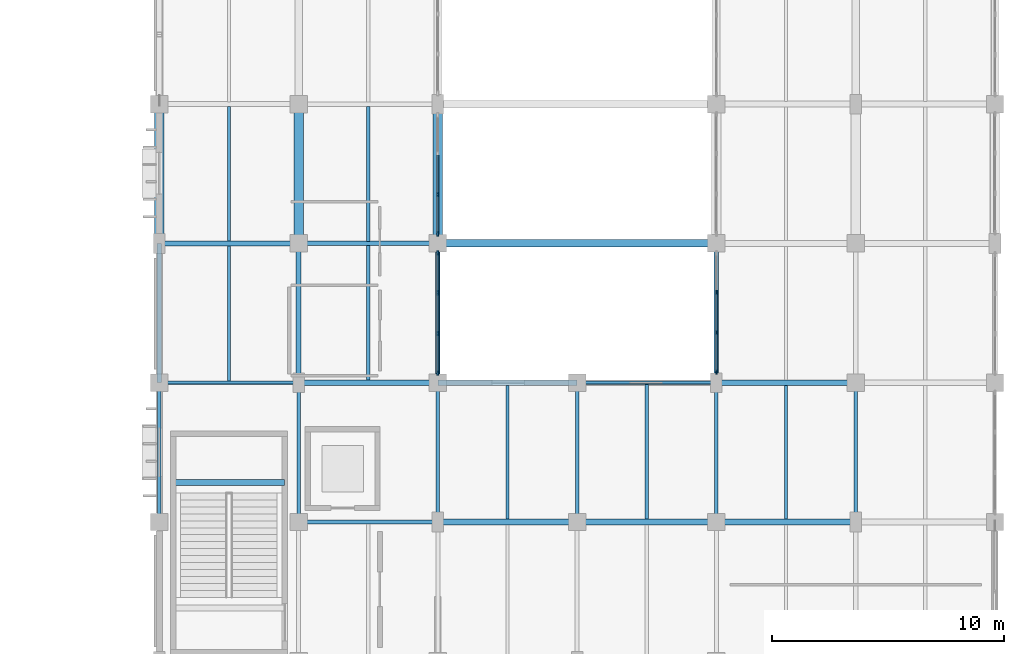
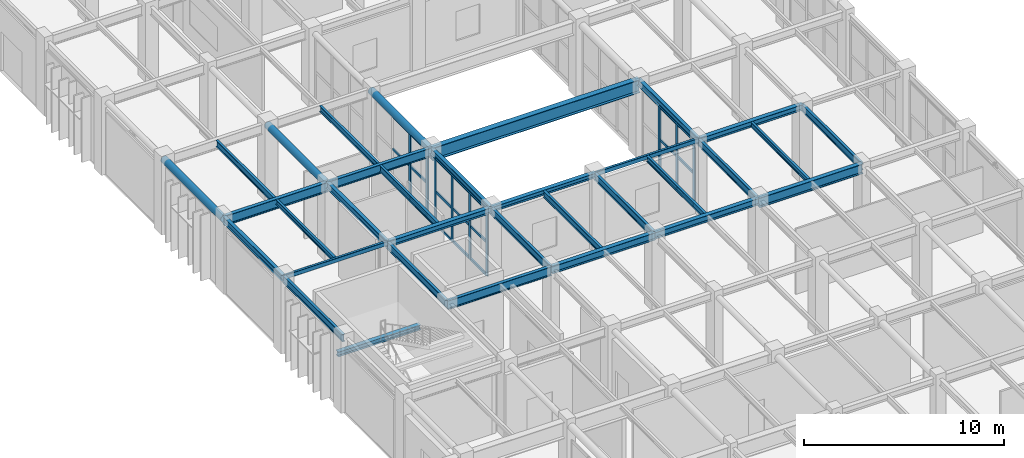
# One storey, part 9 of 76: 33 beams, 30 members, 3 elements without a shape of their own.
"""IFC4 building model written with IfcOpenShell, lengths in metres."""

from ifc_helpers import new_model, si_unit, direction, frame, origin, origin_2d, place, context, subcontext, project, spatial, rectangle, hollow_rectangle, hollow_circle, i_section, extrude, material, material_profile, profile_set, type_object, element, aggregate, save


model = new_model("IFC4")

# Units and contexts
model_context = context("Model", 3, precision=1e-05, world=origin(), true_north=direction((0.0, 1.0)))
body_context = subcontext(model_context, "Body", "Model", "MODEL_VIEW")
ifc_project = project(units=[si_unit("LENGTHUNIT", "METRE"), si_unit("AREAUNIT", "SQUARE_METRE"), si_unit("VOLUMEUNIT", "CUBIC_METRE"), si_unit("PLANEANGLEUNIT", "RADIAN"), si_unit("MASSUNIT", "GRAM", prefix="KILO")], contexts=[model_context])

# Site, building, storey
site_placement = place(None, origin())
site = spatial("IfcSite", under=ifc_project, at=site_placement, CompositionType="ELEMENT")
building_placement = place(site_placement, origin())
building = spatial("IfcBuilding", under=site, at=building_placement, Name="Varnakota Square Police Headquarters", CompositionType="ELEMENT")
storey_placement = place(building_placement, origin())
storey = spatial("IfcBuildingStorey", under=building, at=storey_placement, Name="L00", CompositionType="ELEMENT", Elevation=0.0)

# Beams
ifc_material_1 = material(Name="Steel IS 2062 Grade 350", Category="steel")
ifc_material_profile_1 = material_profile(ifc_material_1, hollow_circle(Radius=0.203125, WallThickness=0.01611328125, at=origin_2d()), Name="CHS 406.4x16.0")
ifc_profile_set_1 = profile_set([ifc_material_profile_1], Name="Steel IS 2062 Grade 350")
beam_type_1 = type_object("IfcBeamType", Name="BM-ARC-CHS406", PredefinedType="BEAM", material=ifc_profile_set_1)
for number, where, z_axis, x_axis, name in (
    (1, (6.0, 45.0, 4.296875), (0.0, 1.0, 0.0), (-1.0, 0.0, 0.0), "BMG-L00-0938"),
    (2, (12.0, 45.0, 4.296875), (0.0, 1.0, 0.0), (-1.0, 0.0, 0.0), "BMG-L00-0955"),
    (3, (18.0, 45.0, 4.296875), (0.0, 1.0, 0.0), (-1.0, 0.0, 0.0), "BMG-L00-0969"),
):
    element("IfcBeam", number, at=place(storey_placement, frame(where, z_axis=z_axis, x_axis=x_axis)), inside=storey, type_object=beam_type_1, Name=name, PredefinedType="BEAM", context=body_context, shape_type="SweptSolid", body=[
        extrude(hollow_circle(Radius=0.203125, WallThickness=0.01611328125, at=origin_2d()), origin(), (0.0, 0.0, 1.0), 6.0),
    ])
ifc_material_profile_2 = material_profile(ifc_material_1, i_section(OverallWidth=0.320068359375, OverallDepth=0.800048828125, WebThickness=0.01611328125, FlangeThickness=0.028076171875, at=origin_2d()), Name="BPG 800x320")
ifc_profile_set_2 = profile_set([ifc_material_profile_2], Name="Steel IS 2062 Grade 350")
beam_type_2 = type_object("IfcBeamType", Name="BM-BPG800", PredefinedType="BEAM", material=ifc_profile_set_2)
beam_1_placement = place(storey_placement, frame((18.0, 45.0, 4.10009765625), z_axis=(1.0, 0.0, 0.0), x_axis=(0.0, 1.0, 0.0)))
element("IfcBeam", 4, at=beam_1_placement, inside=storey, type_object=beam_type_2, Name="BMG-L00-0792", PredefinedType="BEAM", context=body_context, shape_type="SweptSolid", body=[
    extrude(i_section(OverallWidth=0.320068359375, OverallDepth=0.800048828125, WebThickness=0.01611328125, FlangeThickness=0.028076171875, at=origin_2d()), origin(), (0.0, 0.0, 1.0), 12.0),
])
ifc_material_profile_3 = material_profile(ifc_material_1, hollow_rectangle(XDim=0.14990234375, YDim=0.25, WallThickness=0.010009765625, InnerFilletRadius=0.010009765625, OuterFilletRadius=0.02001953125, at=origin_2d()), Name="RHS 250x150x10")
ifc_profile_set_3 = profile_set([ifc_material_profile_3], Name="Steel IS 2062 Grade 350")
beam_type_3 = type_object("IfcBeamType", Name="BM-CBEAM-RHS250", PredefinedType="BEAM", material=ifc_profile_set_3)
for number, where, z_axis, x_axis, name in (
    (5, (6.0, 39.0, 4.375), (1.0, 0.0, 0.0), (0.0, 1.0, 0.0), "BMG-L00-0773"),
    (6, (24.0, 39.0, 4.375), (1.0, 0.0, 0.0), (0.0, 1.0, 0.0), "BMG-L00-0776"),
):
    element("IfcBeam", number, at=place(storey_placement, frame(where, z_axis=z_axis, x_axis=x_axis)), inside=storey, type_object=beam_type_3, Name=name, PredefinedType="BEAM", context=body_context, shape_type="SweptSolid", body=[
        extrude(hollow_rectangle(XDim=0.14990234375, YDim=0.25, WallThickness=0.010009765625, InnerFilletRadius=0.010009765625, OuterFilletRadius=0.02001953125, at=origin_2d()), origin(), (0.0, 0.0, 1.0), 6.0),
    ])
ifc_material_profile_4 = material_profile(ifc_material_1, i_section(OverallWidth=0.25, OverallDepth=0.300048828125, WebThickness=0.009521484375, FlangeThickness=0.010498046875, FilletRadius=0.011962890625, at=origin_2d()), Name="ISHB 300")
ifc_profile_set_4 = profile_set([ifc_material_profile_4], Name="Steel IS 2062 Grade 350")
beam_type_4 = type_object("IfcBeamType", Name="BM-ISHB300", PredefinedType="BEAM", material=ifc_profile_set_4)
beam_2_placement = place(storey_placement, frame((18.0, 39.0, 4.35009765625), z_axis=(1.0, 0.0, 0.0), x_axis=(0.0, 1.0, 0.0)))
element("IfcBeam", 7, at=beam_2_placement, inside=storey, type_object=beam_type_4, Name="BMG-L00-0775", PredefinedType="BEAM", context=body_context, shape_type="SweptSolid", body=[
    extrude(i_section(OverallWidth=0.25, OverallDepth=0.300048828125, WebThickness=0.009521484375, FlangeThickness=0.010498046875, FilletRadius=0.011962890625, at=origin_2d()), origin(), (0.0, 0.0, 1.0), 6.0),
])
beam_3_placement = place(storey_placement, frame((6.60009765625, 34.70068359375, 2.083984375), z_axis=(1.0, 0.0, 0.0), x_axis=(0.0, 1.0, 0.0)))
element("IfcBeam", 8, at=beam_3_placement, inside=storey, type_object=beam_type_4, Name="Stair landing support beam BM-LND-0046", PredefinedType="BEAM", context=body_context, shape_type="SweptSolid", body=[
    extrude(i_section(OverallWidth=0.25, OverallDepth=0.300048828125, WebThickness=0.009521484375, FlangeThickness=0.010498046875, FilletRadius=0.011962890625, at=origin_2d()), origin(), (0.0, 0.0, 1.0), 4.7998046875),
])
ifc_material_profile_5 = material_profile(ifc_material_1, i_section(OverallWidth=0.25, OverallDepth=0.35009765625, WebThickness=0.010009765625, FlangeThickness=0.01171875, FilletRadius=0.011962890625, at=origin_2d()), Name="ISHB 350")
ifc_profile_set_5 = profile_set([ifc_material_profile_5], Name="Steel IS 2062 Grade 350")
beam_type_5 = type_object("IfcBeamType", Name="BM-ISHB350", PredefinedType="BEAM", material=ifc_profile_set_5)
for number, where, z_axis, x_axis, name in (
    (9, (12.0, 39.0, 4.324951171875), (1.0, 0.0, 0.0), (0.0, 1.0, 0.0), "BMG-L00-0774"),
    (10, (30.0, 39.0, 4.324951171875), (1.0, 0.0, 0.0), (0.0, 1.0, 0.0), "BMG-L00-0777"),
):
    element("IfcBeam", number, at=place(storey_placement, frame(where, z_axis=z_axis, x_axis=x_axis)), inside=storey, type_object=beam_type_5, Name=name, PredefinedType="BEAM", context=body_context, shape_type="SweptSolid", body=[
        extrude(i_section(OverallWidth=0.25, OverallDepth=0.35009765625, WebThickness=0.010009765625, FlangeThickness=0.01171875, FilletRadius=0.011962890625, at=origin_2d()), origin(), (0.0, 0.0, 1.0), 6.0),
    ])
ifc_material_profile_6 = material_profile(ifc_material_1, i_section(OverallWidth=0.25, OverallDepth=0.39990234375, WebThickness=0.010498046875, FlangeThickness=0.0126953125, FilletRadius=0.013916015625, at=origin_2d()), Name="ISHB 400")
ifc_profile_set_6 = profile_set([ifc_material_profile_6], Name="Steel IS 2062 Grade 350")
beam_type_6 = type_object("IfcBeamType", Name="BM-ISHB400", PredefinedType="BEAM", material=ifc_profile_set_6)
beam_4_placement = place(storey_placement, frame((24.0, 33.0, 4.300048828125), z_axis=(1.0, 0.0, 0.0), x_axis=(0.0, 1.0, 0.0)))
element("IfcBeam", 11, at=beam_4_placement, inside=storey, type_object=beam_type_6, Name="BMG-L00-0765", PredefinedType="BEAM", context=body_context, shape_type="SweptSolid", body=[
    extrude(i_section(OverallWidth=0.25, OverallDepth=0.39990234375, WebThickness=0.010498046875, FlangeThickness=0.0126953125, FilletRadius=0.013916015625, at=origin_2d()), origin(), (0.0, 0.0, 1.0), 6.0),
])
ifc_material_profile_7 = material_profile(ifc_material_1, i_section(OverallWidth=0.25, OverallDepth=0.449951171875, WebThickness=0.01123046875, FlangeThickness=0.013671875, FilletRadius=0.014892578125, at=origin_2d()), Name="ISHB 450")
ifc_profile_set_7 = profile_set([ifc_material_profile_7], Name="Steel IS 2062 Grade 350")
beam_type_7 = type_object("IfcBeamType", Name="BM-ISHB450", PredefinedType="BEAM", material=ifc_profile_set_7)
beam_5_placement = place(storey_placement, frame((18.0, 33.0, 4.27490234375), z_axis=(1.0, 0.0, 0.0), x_axis=(0.0, 1.0, 0.0)))
element("IfcBeam", 12, at=beam_5_placement, inside=storey, type_object=beam_type_7, Name="BMG-L00-0764", PredefinedType="BEAM", context=body_context, shape_type="SweptSolid", body=[
    extrude(i_section(OverallWidth=0.25, OverallDepth=0.449951171875, WebThickness=0.01123046875, FlangeThickness=0.013671875, FilletRadius=0.014892578125, at=origin_2d()), origin(), (0.0, 0.0, 1.0), 6.0),
])
ifc_material_profile_8 = material_profile(ifc_material_1, i_section(OverallWidth=0.139892578125, OverallDepth=0.300048828125, WebThickness=0.0078125, FlangeThickness=0.01318359375, FilletRadius=0.013916015625, at=origin_2d()), Name="ISMB 300")
ifc_profile_set_8 = profile_set([ifc_material_profile_8], Name="Steel IS 2062 Grade 350")
beam_type_8 = type_object("IfcBeamType", Name="BM-ISMB300", PredefinedType="JOIST", material=ifc_profile_set_8)
beam_6_placement = place(storey_placement, frame((9.0, 39.072998046875, 4.35009765625), z_axis=(0.0, 1.0, 0.0), x_axis=(-1.0, 0.0, 0.0)))
element("IfcBeam", 13, at=beam_6_placement, inside=storey, type_object=beam_type_8, Name="BMG-L00-1181", PredefinedType="JOIST", context=body_context, shape_type="SweptSolid", body=[
    extrude(i_section(OverallWidth=0.139892578125, OverallDepth=0.300048828125, WebThickness=0.0078125, FlangeThickness=0.01318359375, FilletRadius=0.013916015625, at=origin_2d()), origin(), (0.0, 0.0, 1.0), 5.823974609375),
])
beam_7_placement = place(storey_placement, frame((33.0, 33.123046875, 4.35009765625), z_axis=(0.0, 1.0, 0.0), x_axis=(-1.0, 0.0, 0.0)))
element("IfcBeam", 14, at=beam_7_placement, inside=storey, type_object=beam_type_8, Name="BMG-L00-1218", PredefinedType="JOIST", context=body_context, shape_type="SweptSolid", body=[
    extrude(i_section(OverallWidth=0.139892578125, OverallDepth=0.300048828125, WebThickness=0.0078125, FlangeThickness=0.01318359375, FilletRadius=0.013916015625, at=origin_2d()), origin(), (0.0, 0.0, 1.0), 5.75390625),
])
ifc_material_profile_9 = material_profile(ifc_material_1, i_section(OverallWidth=0.139892578125, OverallDepth=0.35009765625, WebThickness=0.008056640625, FlangeThickness=0.01416015625, FilletRadius=0.013916015625, at=origin_2d()), Name="ISMB 350")
ifc_profile_set_9 = profile_set([ifc_material_profile_9], Name="Steel IS 2062 Grade 350")
beam_type_9 = type_object("IfcBeamType", Name="BM-ISMB350", PredefinedType="JOIST", material=ifc_profile_set_9)
beam_8_placement = place(storey_placement, frame((15.0, 45.093017578125, 4.324951171875), z_axis=(0.0, 1.0, 0.0), x_axis=(-1.0, 0.0, 0.0)))
element("IfcBeam", 15, at=beam_8_placement, inside=storey, type_object=beam_type_9, Name="BMG-L00-1193", PredefinedType="JOIST", context=body_context, shape_type="SweptSolid", body=[
    extrude(i_section(OverallWidth=0.139892578125, OverallDepth=0.35009765625, WebThickness=0.008056640625, FlangeThickness=0.01416015625, FilletRadius=0.013916015625, at=origin_2d()), origin(), (0.0, 0.0, 1.0), 5.81396484375),
])
beam_9_placement = place(storey_placement, frame((27.0, 33.123046875, 4.324951171875), z_axis=(0.0, 1.0, 0.0), x_axis=(-1.0, 0.0, 0.0)))
element("IfcBeam", 16, at=beam_9_placement, inside=storey, type_object=beam_type_9, Name="BMG-L00-1210", PredefinedType="JOIST", context=body_context, shape_type="SweptSolid", body=[
    extrude(i_section(OverallWidth=0.139892578125, OverallDepth=0.35009765625, WebThickness=0.008056640625, FlangeThickness=0.01416015625, FilletRadius=0.013916015625, at=origin_2d()), origin(), (0.0, 0.0, 1.0), 5.803955078125),
])
ifc_material_profile_10 = material_profile(ifc_material_1, i_section(OverallWidth=0.139892578125, OverallDepth=0.39990234375, WebThickness=0.0087890625, FlangeThickness=0.01611328125, FilletRadius=0.013916015625, at=origin_2d()), Name="ISMB 400")
ifc_profile_set_10 = profile_set([ifc_material_profile_10], Name="Steel IS 2062 Grade 350")
beam_type_10 = type_object("IfcBeamType", Name="BM-ISMB400", PredefinedType="JOIST", material=ifc_profile_set_10)
beam_10_placement = place(storey_placement, frame((9.0, 45.10302734375, 4.300048828125), z_axis=(0.0, 1.0, 0.0), x_axis=(-1.0, 0.0, 0.0)))
element("IfcBeam", 17, at=beam_10_placement, inside=storey, type_object=beam_type_10, Name="BMG-L00-1182", PredefinedType="JOIST", context=body_context, shape_type="SweptSolid", body=[
    extrude(i_section(OverallWidth=0.139892578125, OverallDepth=0.39990234375, WebThickness=0.0087890625, FlangeThickness=0.01611328125, FilletRadius=0.013916015625, at=origin_2d()), origin(), (0.0, 0.0, 1.0), 5.7939453125),
])
beam_11_placement = place(storey_placement, frame((15.0, 39.123046875, 4.300048828125), z_axis=(0.0, 1.0, 0.0), x_axis=(-1.0, 0.0, 0.0)))
element("IfcBeam", 18, at=beam_11_placement, inside=storey, type_object=beam_type_10, Name="BMG-L00-1192", PredefinedType="JOIST", context=body_context, shape_type="SweptSolid", body=[
    extrude(i_section(OverallWidth=0.139892578125, OverallDepth=0.39990234375, WebThickness=0.0087890625, FlangeThickness=0.01611328125, FilletRadius=0.013916015625, at=origin_2d()), origin(), (0.0, 0.0, 1.0), 5.783935546875),
])
beam_12_placement = place(storey_placement, frame((21.0, 33.123046875, 4.300048828125), z_axis=(0.0, 1.0, 0.0), x_axis=(-1.0, 0.0, 0.0)))
element("IfcBeam", 19, at=beam_12_placement, inside=storey, type_object=beam_type_10, Name="BMG-L00-1203", PredefinedType="JOIST", context=body_context, shape_type="SweptSolid", body=[
    extrude(i_section(OverallWidth=0.139892578125, OverallDepth=0.39990234375, WebThickness=0.0087890625, FlangeThickness=0.01611328125, FilletRadius=0.013916015625, at=origin_2d()), origin(), (0.0, 0.0, 1.0), 5.75390625),
])
ifc_material_profile_11 = material_profile(ifc_material_1, i_section(OverallWidth=0.14990234375, OverallDepth=0.449951171875, WebThickness=0.009521484375, FlangeThickness=0.017333984375, FilletRadius=0.014892578125, at=origin_2d()), Name="ISMB 450")
ifc_profile_set_11 = profile_set([ifc_material_profile_11], Name="Steel IS 2062 Grade 350")
beam_type_11 = type_object("IfcBeamType", Name="BM-ISMB450", PredefinedType="BEAM", material=ifc_profile_set_11)
for number, where, z_axis, x_axis, name in (
    (20, (6.0, 33.0, 4.27490234375), (0.0, 1.0, 0.0), (-1.0, 0.0, 0.0), "BMG-L00-0936"),
    (21, (12.0, 33.0, 4.27490234375), (0.0, 1.0, 0.0), (-1.0, 0.0, 0.0), "BMG-L00-0953"),
    (22, (18.0, 33.0, 4.27490234375), (0.0, 1.0, 0.0), (-1.0, 0.0, 0.0), "BMG-L00-0967"),
    (23, (24.0, 33.0, 4.27490234375), (0.0, 1.0, 0.0), (-1.0, 0.0, 0.0), "BMG-L00-0981"),
    (24, (30.0, 33.0, 4.27490234375), (0.0, 1.0, 0.0), (-1.0, 0.0, 0.0), "BMG-L00-0989"),
    (25, (36.0, 33.0, 4.27490234375), (0.0, 1.0, 0.0), (-1.0, 0.0, 0.0), "BMG-L00-1003"),
):
    element("IfcBeam", number, at=place(storey_placement, frame(where, z_axis=z_axis, x_axis=x_axis)), inside=storey, type_object=beam_type_11, Name=name, PredefinedType="BEAM", context=body_context, shape_type="SweptSolid", body=[
        extrude(i_section(OverallWidth=0.14990234375, OverallDepth=0.449951171875, WebThickness=0.009521484375, FlangeThickness=0.017333984375, FilletRadius=0.014892578125, at=origin_2d()), origin(), (0.0, 0.0, 1.0), 6.0),
    ])
ifc_material_profile_12 = material_profile(ifc_material_1, i_section(OverallWidth=0.18994140625, OverallDepth=0.550048828125, WebThickness=0.01123046875, FlangeThickness=0.019287109375, FilletRadius=0.01806640625, at=origin_2d()), Name="ISMB 550")
ifc_profile_set_12 = profile_set([ifc_material_profile_12], Name="Steel IS 2062 Grade 350")
beam_type_12 = type_object("IfcBeamType", Name="BM-ISMB550", PredefinedType="BEAM", material=ifc_profile_set_12)
for number, where, z_axis, x_axis, name in (
    (26, (12.0, 33.0, 4.22509765625), (1.0, 0.0, 0.0), (0.0, 1.0, 0.0), "BMG-L00-0763"),
    (27, (12.0, 45.0, 4.22509765625), (1.0, 0.0, 0.0), (0.0, 1.0, 0.0), "BMG-L00-0791"),
):
    element("IfcBeam", number, at=place(storey_placement, frame(where, z_axis=z_axis, x_axis=x_axis)), inside=storey, type_object=beam_type_12, Name=name, PredefinedType="BEAM", context=body_context, shape_type="SweptSolid", body=[
        extrude(i_section(OverallWidth=0.18994140625, OverallDepth=0.550048828125, WebThickness=0.01123046875, FlangeThickness=0.019287109375, FilletRadius=0.01806640625, at=origin_2d()), origin(), (0.0, 0.0, 1.0), 6.0),
    ])
ifc_material_profile_13 = material_profile(ifc_material_1, i_section(OverallWidth=0.2099609375, OverallDepth=0.60009765625, WebThickness=0.011962890625, FlangeThickness=0.020751953125, FilletRadius=0.02001953125, at=origin_2d()), Name="ISMB 600")
ifc_profile_set_13 = profile_set([ifc_material_profile_13], Name="Steel IS 2062 Grade 350")
beam_type_13 = type_object("IfcBeamType", Name="BM-ISMB600", PredefinedType="BEAM", material=ifc_profile_set_13)
beam_13_placement = place(storey_placement, frame((6.0, 45.0, 4.199951171875), z_axis=(1.0, 0.0, 0.0), x_axis=(0.0, 1.0, 0.0)))
element("IfcBeam", 28, at=beam_13_placement, inside=storey, type_object=beam_type_13, Name="BMG-L00-0790", PredefinedType="BEAM", context=body_context, shape_type="SweptSolid", body=[
    extrude(i_section(OverallWidth=0.2099609375, OverallDepth=0.60009765625, WebThickness=0.011962890625, FlangeThickness=0.020751953125, FilletRadius=0.02001953125, at=origin_2d()), origin(), (0.0, 0.0, 1.0), 6.0),
])
ifc_material_profile_14 = material_profile(ifc_material_1, i_section(OverallWidth=0.199951171875, OverallDepth=0.39990234375, WebThickness=0.008544921875, FlangeThickness=0.012939453125, FilletRadius=0.012939453125, at=origin_2d()), Name="ISWB 400")
ifc_profile_set_14 = profile_set([ifc_material_profile_14], Name="Steel IS 2062 Grade 350")
beam_type_14 = type_object("IfcBeamType", Name="BM-ISWB400", PredefinedType="BEAM", material=ifc_profile_set_14)
for number, where, z_axis, x_axis, name in (
    (29, (6.0, 39.0, 4.300048828125), (0.0, 1.0, 0.0), (-1.0, 0.0, 0.0), "BMG-L00-0937"),
    (30, (12.0, 39.0, 4.300048828125), (0.0, 1.0, 0.0), (-1.0, 0.0, 0.0), "BMG-L00-0954"),
    (31, (18.0, 39.0, 4.300048828125), (0.0, 1.0, 0.0), (-1.0, 0.0, 0.0), "BMG-L00-0968"),
    (32, (30.0, 39.0, 4.300048828125), (0.0, 1.0, 0.0), (-1.0, 0.0, 0.0), "BMG-L00-0990"),
):
    element("IfcBeam", number, at=place(storey_placement, frame(where, z_axis=z_axis, x_axis=x_axis)), inside=storey, type_object=beam_type_14, Name=name, PredefinedType="BEAM", context=body_context, shape_type="SweptSolid", body=[
        extrude(i_section(OverallWidth=0.199951171875, OverallDepth=0.39990234375, WebThickness=0.008544921875, FlangeThickness=0.012939453125, FilletRadius=0.012939453125, at=origin_2d()), origin(), (0.0, 0.0, 1.0), 6.0),
    ])
ifc_material_profile_15 = material_profile(ifc_material_1, i_section(OverallWidth=0.25, OverallDepth=0.60009765625, WebThickness=0.01171875, FlangeThickness=0.023681640625, FilletRadius=0.01708984375, at=origin_2d()), Name="ISWB 600")
ifc_profile_set_15 = profile_set([ifc_material_profile_15], Name="Steel IS 2062 Grade 350")
beam_type_15 = type_object("IfcBeamType", Name="BM-ISWB600", PredefinedType="BEAM", material=ifc_profile_set_15)
beam_14_placement = place(storey_placement, frame((30.0, 33.0, 4.199951171875), z_axis=(1.0, 0.0, 0.0), x_axis=(0.0, 1.0, 0.0)))
element("IfcBeam", 33, at=beam_14_placement, inside=storey, type_object=beam_type_15, Name="BMG-L00-0766", PredefinedType="BEAM", context=body_context, shape_type="SweptSolid", body=[
    extrude(i_section(OverallWidth=0.25, OverallDepth=0.60009765625, WebThickness=0.01171875, FlangeThickness=0.023681640625, FilletRadius=0.01708984375, at=origin_2d()), origin(), (0.0, 0.0, 1.0), 6.0),
])

# Curtain wall, members
ifc_material_2 = material(Name="Anodised Aluminium Framing", Category="aluminium")
curtain_wall_type = type_object("IfcCurtainWallType", Name="CW-SYS-F", PredefinedType="NOTDEFINED", material=ifc_material_2)
curtain_wall_1_placement = place(storey_placement, origin())
curtain_wall_1 = element("IfcCurtainWall", 34, at=curtain_wall_1_placement, inside=storey, type_object=curtain_wall_type, Name="Unitised curtain wall CWG-L00-134", PredefinedType="NOTDEFINED")
ifc_material_3 = material(Name="Anodised Aluminium 6063-T6", Category="aluminium")
ifc_material_profile_16 = material_profile(ifc_material_3, rectangle(XDim=0.074951171875, YDim=0.199951171875, at=origin_2d()), Name="ALU MULLION 75x200")
ifc_profile_set_16 = profile_set([ifc_material_profile_16], Name="Anodised Aluminium 6063-T6")
member_type_1 = type_object("IfcMemberType", Name="CWM-180", PredefinedType="MULLION", material=ifc_profile_set_16)
member_1_placement = place(storey_placement, frame((18.0, 39.41748046875, 0.0), z_axis=(0.0, 0.0, 1.0), x_axis=(-1.0, 0.0, 0.0)))
member_1 = element("IfcMember", 35, at=member_1_placement, type_object=member_type_1, Name="CWG-L00-134 mullion 1", PredefinedType="MULLION", context=body_context, shape_type="SweptSolid", body=[
    extrude(rectangle(XDim=0.074951171875, YDim=0.199951171875, at=origin_2d()), origin(), (0.0, 0.0, 1.0), 4.090087890625),
])
member_2_placement = place(storey_placement, frame((18.0, 41.126708984375, 0.0), z_axis=(0.0, 0.0, 1.0), x_axis=(-1.0, 0.0, 0.0)))
member_2 = element("IfcMember", 36, at=member_2_placement, type_object=member_type_1, Name="CWG-L00-134 mullion 2", PredefinedType="MULLION", context=body_context, shape_type="SweptSolid", body=[
    extrude(rectangle(XDim=0.074951171875, YDim=0.199951171875, at=origin_2d()), origin(), (0.0, 0.0, 1.0), 4.090087890625),
])
member_3_placement = place(storey_placement, frame((18.0, 42.873291015625, 0.0), z_axis=(0.0, 0.0, 1.0), x_axis=(-1.0, 0.0, 0.0)))
member_3 = element("IfcMember", 37, at=member_3_placement, type_object=member_type_1, Name="CWG-L00-134 mullion 3", PredefinedType="MULLION", context=body_context, shape_type="SweptSolid", body=[
    extrude(rectangle(XDim=0.074951171875, YDim=0.199951171875, at=origin_2d()), origin(), (0.0, 0.0, 1.0), 4.090087890625),
])
member_4_placement = place(storey_placement, frame((18.0, 44.58251953125, 0.0), z_axis=(0.0, 0.0, 1.0), x_axis=(-1.0, 0.0, 0.0)))
member_4 = element("IfcMember", 38, at=member_4_placement, type_object=member_type_1, Name="CWG-L00-134 mullion 4", PredefinedType="MULLION", context=body_context, shape_type="SweptSolid", body=[
    extrude(rectangle(XDim=0.074951171875, YDim=0.199951171875, at=origin_2d()), origin(), (0.0, 0.0, 1.0), 4.090087890625),
])

curtain_wall_2_placement = place(storey_placement, origin())
curtain_wall_2 = element("IfcCurtainWall", 39, at=curtain_wall_2_placement, inside=storey, type_object=curtain_wall_type, Name="Unitised curtain wall CWG-L00-135", PredefinedType="NOTDEFINED")
member_5_placement = place(storey_placement, frame((30.0, 39.467529296875, 0.0), z_axis=(0.0, 0.0, 1.0), x_axis=(-1.0, 0.0, 0.0)))
member_5 = element("IfcMember", 40, at=member_5_placement, type_object=member_type_1, Name="CWG-L00-135 mullion 1", PredefinedType="MULLION", context=body_context, shape_type="SweptSolid", body=[
    extrude(rectangle(XDim=0.074951171875, YDim=0.199951171875, at=origin_2d()), origin(), (0.0, 0.0, 1.0), 4.090087890625),
])
member_6_placement = place(storey_placement, frame((30.0, 41.159912109375, 0.0), z_axis=(0.0, 0.0, 1.0), x_axis=(-1.0, 0.0, 0.0)))
member_6 = element("IfcMember", 41, at=member_6_placement, type_object=member_type_1, Name="CWG-L00-135 mullion 2", PredefinedType="MULLION", context=body_context, shape_type="SweptSolid", body=[
    extrude(rectangle(XDim=0.074951171875, YDim=0.199951171875, at=origin_2d()), origin(), (0.0, 0.0, 1.0), 4.090087890625),
])
member_7_placement = place(storey_placement, frame((30.0, 42.889892578125, 0.0), z_axis=(0.0, 0.0, 1.0), x_axis=(-1.0, 0.0, 0.0)))
member_7 = element("IfcMember", 42, at=member_7_placement, type_object=member_type_1, Name="CWG-L00-135 mullion 3", PredefinedType="MULLION", context=body_context, shape_type="SweptSolid", body=[
    extrude(rectangle(XDim=0.074951171875, YDim=0.199951171875, at=origin_2d()), origin(), (0.0, 0.0, 1.0), 4.090087890625),
])

curtain_wall_3_placement = place(storey_placement, origin())
curtain_wall_3 = element("IfcCurtainWall", 43, at=curtain_wall_3_placement, inside=storey, type_object=curtain_wall_type, Name="Unitised curtain wall CWG-L00-136", PredefinedType="NOTDEFINED")
member_8_placement = place(storey_placement, frame((18.0, 45.41748046875, 0.0), z_axis=(0.0, 0.0, 1.0), x_axis=(-1.0, 0.0, 0.0)))
member_8 = element("IfcMember", 44, at=member_8_placement, type_object=member_type_1, Name="CWG-L00-136 mullion 1", PredefinedType="MULLION", context=body_context, shape_type="SweptSolid", body=[
    extrude(rectangle(XDim=0.074951171875, YDim=0.199951171875, at=origin_2d()), origin(), (0.0, 0.0, 1.0), 4.08349609375),
])
member_9_placement = place(storey_placement, frame((18.0, 47.110107421875, 0.0), z_axis=(0.0, 0.0, 1.0), x_axis=(-1.0, 0.0, 0.0)))
member_9 = element("IfcMember", 45, at=member_9_placement, type_object=member_type_1, Name="CWG-L00-136 mullion 2", PredefinedType="MULLION", context=body_context, shape_type="SweptSolid", body=[
    extrude(rectangle(XDim=0.074951171875, YDim=0.199951171875, at=origin_2d()), origin(), (0.0, 0.0, 1.0), 4.08349609375),
])

# Member
ifc_material_profile_17 = material_profile(ifc_material_3, rectangle(XDim=0.074951171875, YDim=0.159912109375, at=origin_2d()), Name="ALU TRANSOM 75x160")
ifc_profile_set_17 = profile_set([ifc_material_profile_17], Name="Anodised Aluminium 6063-T6")
member_type_2 = type_object("IfcMemberType", Name="CWT-150", PredefinedType="USERDEFINED", material=ifc_profile_set_17)
member_10_placement = place(storey_placement, frame((18.0, 39.455078125, 0.03759765625), z_axis=(0.0, 1.0, 0.0), x_axis=(-1.0, 0.0, 0.0)))
member_10 = element("IfcMember", 46, at=member_10_placement, type_object=member_type_2, Name="CWG-L00-134 transom 1.1", ObjectType="TRANSOM", PredefinedType="USERDEFINED", context=body_context, shape_type="SweptSolid", body=[
    extrude(rectangle(XDim=0.074951171875, YDim=0.159912109375, at=origin_2d()), origin(), (0.0, 0.0, 1.0), 1.634033203125),
])

member_11_placement = place(storey_placement, frame((18.0, 39.455078125, 2.044921875), z_axis=(0.0, 1.0, 0.0), x_axis=(-1.0, 0.0, 0.0)))
member_11 = element("IfcMember", 47, at=member_11_placement, type_object=member_type_2, Name="CWG-L00-134 transom 1.2", ObjectType="TRANSOM", PredefinedType="USERDEFINED", context=body_context, shape_type="SweptSolid", body=[
    extrude(rectangle(XDim=0.074951171875, YDim=0.159912109375, at=origin_2d()), origin(), (0.0, 0.0, 1.0), 1.634033203125),
])

member_12_placement = place(storey_placement, frame((18.0, 39.455078125, 4.052490234375), z_axis=(0.0, 1.0, 0.0), x_axis=(-1.0, 0.0, 0.0)))
member_12 = element("IfcMember", 48, at=member_12_placement, type_object=member_type_2, Name="CWG-L00-134 transom 1.3", ObjectType="TRANSOM", PredefinedType="USERDEFINED", context=body_context, shape_type="SweptSolid", body=[
    extrude(rectangle(XDim=0.074951171875, YDim=0.159912109375, at=origin_2d()), origin(), (0.0, 0.0, 1.0), 1.634033203125),
])

member_13_placement = place(storey_placement, frame((18.0, 41.1640625, 0.03759765625), z_axis=(0.0, 1.0, 0.0), x_axis=(-1.0, 0.0, 0.0)))
member_13 = element("IfcMember", 49, at=member_13_placement, type_object=member_type_2, Name="CWG-L00-134 transom 2.1", ObjectType="TRANSOM", PredefinedType="USERDEFINED", context=body_context, shape_type="SweptSolid", body=[
    extrude(rectangle(XDim=0.074951171875, YDim=0.159912109375, at=origin_2d()), origin(), (0.0, 0.0, 1.0), 1.671875),
])

member_14_placement = place(storey_placement, frame((18.0, 41.1640625, 2.044921875), z_axis=(0.0, 1.0, 0.0), x_axis=(-1.0, 0.0, 0.0)))
member_14 = element("IfcMember", 50, at=member_14_placement, type_object=member_type_2, Name="CWG-L00-134 transom 2.2", ObjectType="TRANSOM", PredefinedType="USERDEFINED", context=body_context, shape_type="SweptSolid", body=[
    extrude(rectangle(XDim=0.074951171875, YDim=0.159912109375, at=origin_2d()), origin(), (0.0, 0.0, 1.0), 1.671875),
])

member_15_placement = place(storey_placement, frame((18.0, 41.1640625, 4.052490234375), z_axis=(0.0, 1.0, 0.0), x_axis=(-1.0, 0.0, 0.0)))
member_15 = element("IfcMember", 51, at=member_15_placement, type_object=member_type_2, Name="CWG-L00-134 transom 2.3", ObjectType="TRANSOM", PredefinedType="USERDEFINED", context=body_context, shape_type="SweptSolid", body=[
    extrude(rectangle(XDim=0.074951171875, YDim=0.159912109375, at=origin_2d()), origin(), (0.0, 0.0, 1.0), 1.671875),
])

member_16_placement = place(storey_placement, frame((18.0, 42.910888671875, 0.03759765625), z_axis=(0.0, 1.0, 0.0), x_axis=(-1.0, 0.0, 0.0)))
member_16 = element("IfcMember", 52, at=member_16_placement, type_object=member_type_2, Name="CWG-L00-134 transom 3.1", ObjectType="TRANSOM", PredefinedType="USERDEFINED", context=body_context, shape_type="SweptSolid", body=[
    extrude(rectangle(XDim=0.074951171875, YDim=0.159912109375, at=origin_2d()), origin(), (0.0, 0.0, 1.0), 1.634033203125),
])

member_17_placement = place(storey_placement, frame((18.0, 42.910888671875, 2.044921875), z_axis=(0.0, 1.0, 0.0), x_axis=(-1.0, 0.0, 0.0)))
member_17 = element("IfcMember", 53, at=member_17_placement, type_object=member_type_2, Name="CWG-L00-134 transom 3.2", ObjectType="TRANSOM", PredefinedType="USERDEFINED", context=body_context, shape_type="SweptSolid", body=[
    extrude(rectangle(XDim=0.074951171875, YDim=0.159912109375, at=origin_2d()), origin(), (0.0, 0.0, 1.0), 1.634033203125),
])

member_18_placement = place(storey_placement, frame((18.0, 42.910888671875, 4.052490234375), z_axis=(0.0, 1.0, 0.0), x_axis=(-1.0, 0.0, 0.0)))
member_18 = element("IfcMember", 54, at=member_18_placement, type_object=member_type_2, Name="CWG-L00-134 transom 3.3", ObjectType="TRANSOM", PredefinedType="USERDEFINED", context=body_context, shape_type="SweptSolid", body=[
    extrude(rectangle(XDim=0.074951171875, YDim=0.159912109375, at=origin_2d()), origin(), (0.0, 0.0, 1.0), 1.634033203125),
])

aggregate(curtain_wall_1, [member_1, member_2, member_3, member_4, member_10, member_11, member_12, member_13, member_14, member_15, member_16, member_17, member_18])

member_19_placement = place(storey_placement, frame((30.0, 39.5048828125, 0.03759765625), z_axis=(0.0, 1.0, 0.0), x_axis=(-1.0, 0.0, 0.0)))
member_19 = element("IfcMember", 55, at=member_19_placement, type_object=member_type_2, Name="CWG-L00-135 transom 1.1", ObjectType="TRANSOM", PredefinedType="USERDEFINED", context=body_context, shape_type="SweptSolid", body=[
    extrude(rectangle(XDim=0.074951171875, YDim=0.159912109375, at=origin_2d()), origin(), (0.0, 0.0, 1.0), 1.61767578125),
])

member_20_placement = place(storey_placement, frame((30.0, 39.5048828125, 2.044921875), z_axis=(0.0, 1.0, 0.0), x_axis=(-1.0, 0.0, 0.0)))
member_20 = element("IfcMember", 56, at=member_20_placement, type_object=member_type_2, Name="CWG-L00-135 transom 1.2", ObjectType="TRANSOM", PredefinedType="USERDEFINED", context=body_context, shape_type="SweptSolid", body=[
    extrude(rectangle(XDim=0.074951171875, YDim=0.159912109375, at=origin_2d()), origin(), (0.0, 0.0, 1.0), 1.61767578125),
])

member_21_placement = place(storey_placement, frame((30.0, 39.5048828125, 4.052490234375), z_axis=(0.0, 1.0, 0.0), x_axis=(-1.0, 0.0, 0.0)))
member_21 = element("IfcMember", 57, at=member_21_placement, type_object=member_type_2, Name="CWG-L00-135 transom 1.3", ObjectType="TRANSOM", PredefinedType="USERDEFINED", context=body_context, shape_type="SweptSolid", body=[
    extrude(rectangle(XDim=0.074951171875, YDim=0.159912109375, at=origin_2d()), origin(), (0.0, 0.0, 1.0), 1.61767578125),
])

member_22_placement = place(storey_placement, frame((30.0, 41.197509765625, 0.03759765625), z_axis=(0.0, 1.0, 0.0), x_axis=(-1.0, 0.0, 0.0)))
member_22 = element("IfcMember", 58, at=member_22_placement, type_object=member_type_2, Name="CWG-L00-135 transom 2.1", ObjectType="TRANSOM", PredefinedType="USERDEFINED", context=body_context, shape_type="SweptSolid", body=[
    extrude(rectangle(XDim=0.074951171875, YDim=0.159912109375, at=origin_2d()), origin(), (0.0, 0.0, 1.0), 1.655029296875),
])

member_23_placement = place(storey_placement, frame((30.0, 41.197509765625, 2.044921875), z_axis=(0.0, 1.0, 0.0), x_axis=(-1.0, 0.0, 0.0)))
member_23 = element("IfcMember", 59, at=member_23_placement, type_object=member_type_2, Name="CWG-L00-135 transom 2.2", ObjectType="TRANSOM", PredefinedType="USERDEFINED", context=body_context, shape_type="SweptSolid", body=[
    extrude(rectangle(XDim=0.074951171875, YDim=0.159912109375, at=origin_2d()), origin(), (0.0, 0.0, 1.0), 1.655029296875),
])

member_24_placement = place(storey_placement, frame((30.0, 41.197509765625, 4.052490234375), z_axis=(0.0, 1.0, 0.0), x_axis=(-1.0, 0.0, 0.0)))
member_24 = element("IfcMember", 60, at=member_24_placement, type_object=member_type_2, Name="CWG-L00-135 transom 2.3", ObjectType="TRANSOM", PredefinedType="USERDEFINED", context=body_context, shape_type="SweptSolid", body=[
    extrude(rectangle(XDim=0.074951171875, YDim=0.159912109375, at=origin_2d()), origin(), (0.0, 0.0, 1.0), 1.655029296875),
])

aggregate(curtain_wall_2, [member_5, member_6, member_7, member_19, member_20, member_21, member_22, member_23, member_24])

member_25_placement = place(storey_placement, frame((18.0, 45.455078125, 0.03759765625), z_axis=(0.0, 1.0, 0.0), x_axis=(-1.0, 0.0, 0.0)))
member_25 = element("IfcMember", 61, at=member_25_placement, type_object=member_type_2, Name="CWG-L00-136 transom 1.1", ObjectType="TRANSOM", PredefinedType="USERDEFINED", context=body_context, shape_type="SweptSolid", body=[
    extrude(rectangle(XDim=0.074951171875, YDim=0.159912109375, at=origin_2d()), origin(), (0.0, 0.0, 1.0), 1.617431640625),
])

member_26_placement = place(storey_placement, frame((18.0, 45.455078125, 2.041748046875), z_axis=(0.0, 1.0, 0.0), x_axis=(-1.0, 0.0, 0.0)))
member_26 = element("IfcMember", 62, at=member_26_placement, type_object=member_type_2, Name="CWG-L00-136 transom 1.2", ObjectType="TRANSOM", PredefinedType="USERDEFINED", context=body_context, shape_type="SweptSolid", body=[
    extrude(rectangle(XDim=0.074951171875, YDim=0.159912109375, at=origin_2d()), origin(), (0.0, 0.0, 1.0), 1.617431640625),
])

member_27_placement = place(storey_placement, frame((18.0, 45.455078125, 4.046142578125), z_axis=(0.0, 1.0, 0.0), x_axis=(-1.0, 0.0, 0.0)))
member_27 = element("IfcMember", 63, at=member_27_placement, type_object=member_type_2, Name="CWG-L00-136 transom 1.3", ObjectType="TRANSOM", PredefinedType="USERDEFINED", context=body_context, shape_type="SweptSolid", body=[
    extrude(rectangle(XDim=0.074951171875, YDim=0.159912109375, at=origin_2d()), origin(), (0.0, 0.0, 1.0), 1.617431640625),
])

member_28_placement = place(storey_placement, frame((18.0, 47.1474609375, 0.03759765625), z_axis=(0.0, 1.0, 0.0), x_axis=(-1.0, 0.0, 0.0)))
member_28 = element("IfcMember", 64, at=member_28_placement, type_object=member_type_2, Name="CWG-L00-136 transom 2.1", ObjectType="TRANSOM", PredefinedType="USERDEFINED", context=body_context, shape_type="SweptSolid", body=[
    extrude(rectangle(XDim=0.074951171875, YDim=0.159912109375, at=origin_2d()), origin(), (0.0, 0.0, 1.0), 1.655029296875),
])

member_29_placement = place(storey_placement, frame((18.0, 47.1474609375, 2.041748046875), z_axis=(0.0, 1.0, 0.0), x_axis=(-1.0, 0.0, 0.0)))
member_29 = element("IfcMember", 65, at=member_29_placement, type_object=member_type_2, Name="CWG-L00-136 transom 2.2", ObjectType="TRANSOM", PredefinedType="USERDEFINED", context=body_context, shape_type="SweptSolid", body=[
    extrude(rectangle(XDim=0.074951171875, YDim=0.159912109375, at=origin_2d()), origin(), (0.0, 0.0, 1.0), 1.655029296875),
])

member_30_placement = place(storey_placement, frame((18.0, 47.1474609375, 4.046142578125), z_axis=(0.0, 1.0, 0.0), x_axis=(-1.0, 0.0, 0.0)))
member_30 = element("IfcMember", 66, at=member_30_placement, type_object=member_type_2, Name="CWG-L00-136 transom 2.3", ObjectType="TRANSOM", PredefinedType="USERDEFINED", context=body_context, shape_type="SweptSolid", body=[
    extrude(rectangle(XDim=0.074951171875, YDim=0.159912109375, at=origin_2d()), origin(), (0.0, 0.0, 1.0), 1.655029296875),
])

aggregate(curtain_wall_3, [member_8, member_9, member_25, member_26, member_27, member_28, member_29, member_30])

save(model, "model.ifc")
